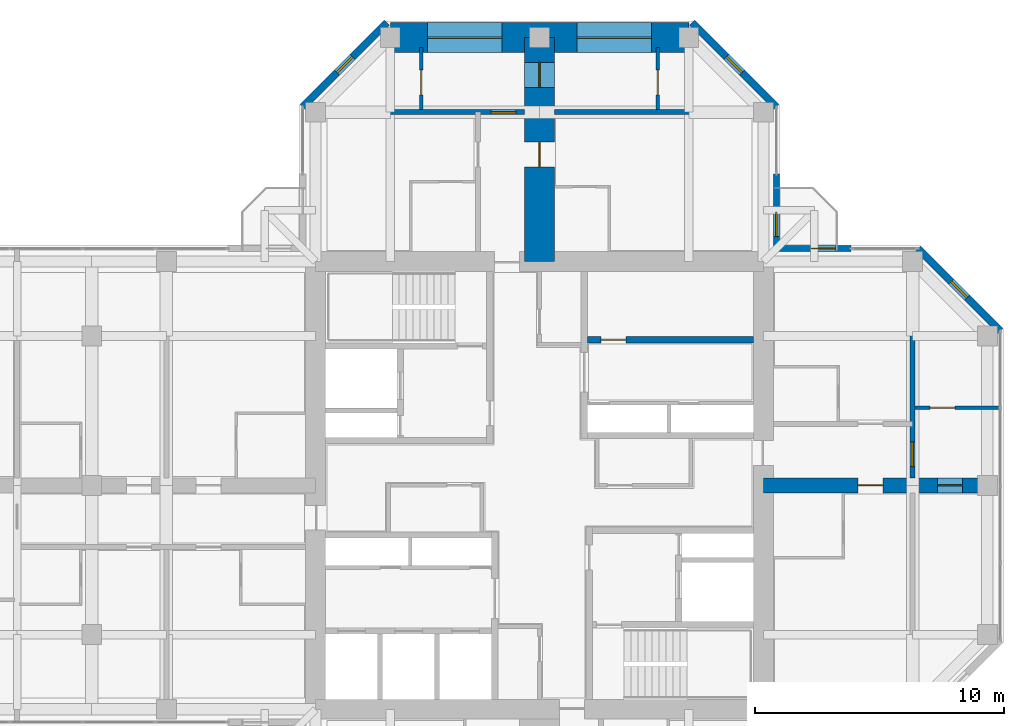
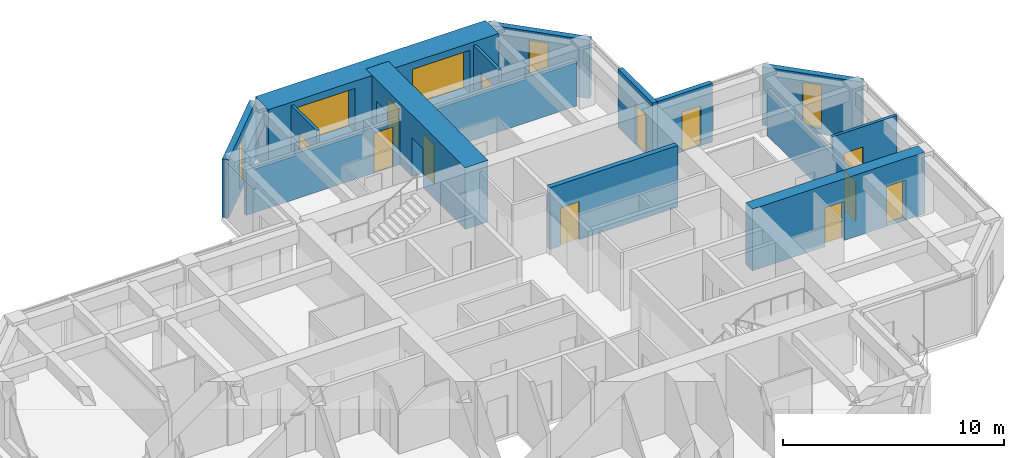
# One storey, part 12 of 14: 15 walls, 12 doors, 5 windows, 17 openings.
"""IFC4 building model written with IfcOpenShell, lengths in metres."""

from ifc_helpers import new_model, si_unit, direction, frame, frame_2d, origin, place, context, subcontext, project, spatial, rectangle, hollow_rectangle, extrude, material, layer, layer_set, constituent, constituent_set, type_object, element, fill, save


model = new_model("IFC4")

# Units and contexts
model_context = context("Model", 3, precision=1e-05, world=origin(), true_north=direction((0.0, 1.0)))
body_context = subcontext(model_context, "Body", "Model", "MODEL_VIEW")
ifc_project = project(units=[si_unit("LENGTHUNIT", "METRE"), si_unit("AREAUNIT", "SQUARE_METRE"), si_unit("VOLUMEUNIT", "CUBIC_METRE"), si_unit("PLANEANGLEUNIT", "RADIAN"), si_unit("MASSUNIT", "GRAM", prefix="KILO")], contexts=[model_context])

# Site, building, storey
site_placement = place(None, origin())
site = spatial("IfcSite", under=ifc_project, at=site_placement, CompositionType="ELEMENT")
building_placement = place(site_placement, origin())
building = spatial("IfcBuilding", under=site, at=building_placement, Name="Torre Cruceta", CompositionType="ELEMENT")
storey_placement = place(building_placement, frame((0.0, 0.0, 225.5)))
storey = spatial("IfcBuildingStorey", under=building, at=storey_placement, Name="L57", CompositionType="ELEMENT", Elevation=225.5)

# Wall, opening, door
ifc_material_1 = material(Name="Concrete G60 (fck 60 MPa)", Category="concrete")
ifc_layer_1 = layer(ifc_material_1, 0.25)
ifc_layer_set_1 = layer_set([ifc_layer_1], Name="Concrete G60 (fck 60 MPa)")
wall_type_1 = type_object("IfcWallType", Name="CORE INNER WALL 250 G60", PredefinedType="SHEAR", material=ifc_layer_set_1)
wall_1_placement = place(storey_placement, frame((1.925048828125, 5.85009765625, 0.0), z_axis=(0.0, 0.0, 1.0), x_axis=(1.0, 0.0, 0.0)))
wall_1 = element("IfcWall", 1, at=wall_1_placement, inside=storey, type_object=wall_type_1, Name="CW4 L57 NE-LV", PredefinedType="SHEAR", context=body_context, shape_type="SweptSolid", body=[
    extrude(rectangle(XDim=6.675048828125, YDim=0.25, at=frame_2d((3.33740234375, 0.0))), origin(), (0.0, 0.0, 1.0), 3.39990234375),
])
opening_1_placement = place(wall_1_placement, frame((0.5458984375, 0.0, 0.0)))
opening_1 = element("IfcOpeningElement", 2, at=opening_1_placement, cuts=wall_1, Name="Opening D3", PredefinedType="OPENING", context=body_context, shape_type="SweptSolid", body=[
    extrude(rectangle(XDim=1.0, YDim=2.10009765625, at=frame_2d((0.5, 1.050048828125))), frame((0.0, 0.135009765625, 0.0), z_axis=(0.0, -1.0, 0.0), x_axis=(1.0, 0.0, 0.0)), (0.0, 0.0, 1.0), 0.27001953125),
])
ifc_material_2 = material(Name="Steel DX51D", Category="steel")
ifc_constituent_1 = constituent(ifc_material_2, Name="Leaf and frame")
ifc_material_3 = material(Name="Polyester powder coating", Category="paint")
ifc_constituent_2 = constituent(ifc_material_3, Name="Finish")
ifc_constituent_set_1 = constituent_set(constituents=[ifc_constituent_1, ifc_constituent_2], Name="Steel fire door")
door_type_1 = type_object("IfcDoorType", Name="FIRE DOOR 1000X2100", OperationType="SINGLE_SWING_LEFT", PredefinedType="DOOR", material=ifc_constituent_set_1)
door_1_placement = place(opening_1_placement, origin())
door_1 = element("IfcDoor", 3, at=door_1_placement, inside=storey, type_object=door_type_1, Name="D3 L57 NE-HR1", OperationType="SINGLE_SWING_LEFT", OverallHeight=2.10009765625, OverallWidth=1.0, PredefinedType="DOOR", context=body_context, shape_type="SweptSolid", body=[
    extrude(rectangle(XDim=1.0, YDim=2.10009765625, at=frame_2d((0.5, 1.050048828125))), frame((0.0, 0.02490234375, 0.0), z_axis=(0.0, -1.0, 0.0), x_axis=(1.0, 0.0, 0.0)), (0.0, 0.0, 1.0), 0.050048828125),
])
fill(opening_1, door_1)

# Wall, opening, window
ifc_material_4 = material(Name="Concrete G30 (fck 30 MPa)", Category="concrete")
ifc_layer_2 = layer(ifc_material_4, 0.300048828125)
ifc_layer_set_2 = layer_set([ifc_layer_2], Name="Concrete G30 (fck 30 MPa)")
wall_type_2 = type_object("IfcWallType", Name="EXPOSED CONCRETE FACADE WALL 300", PredefinedType="SOLIDWALL", material=ifc_layer_set_2)
wall_2_placement = place(storey_placement, frame((18.52001953125, 6.21533203125, 0.0), z_axis=(0.0, 0.0, 1.0), x_axis=(-0.707106781187, 0.707106781187, 0.0)))
wall_2 = element("IfcWall", 4, at=wall_2_placement, inside=storey, type_object=wall_type_2, Name="EW1 facade wall L57 E chamfer 03", PredefinedType="SOLIDWALL", context=body_context, shape_type="SweptSolid", body=[
    extrude(rectangle(XDim=4.673583984375, YDim=0.300048828125, at=frame_2d((2.3369140625, 0.0))), origin(), (0.0, 0.0, 1.0), 3.219970703125),
])
opening_2_placement = place(wall_2_placement, frame((1.88671875, 0.0, 0.300048828125)))
opening_2 = element("IfcOpeningElement", 5, at=opening_2_placement, cuts=wall_2, Name="Opening WN5", PredefinedType="OPENING", context=body_context, shape_type="SweptSolid", body=[
    extrude(rectangle(XDim=0.89990234375, YDim=2.39990234375, at=frame_2d((0.449951171875, 1.199951171875))), frame((0.0, 0.159912109375, 0.0), z_axis=(0.0, -1.0, 0.0), x_axis=(1.0, 0.0, 0.0)), (0.0, 0.0, 1.0), 0.320068359375),
])
ifc_material_5 = material(Name="Aluminium window frame", Category="aluminium")
ifc_constituent_3 = constituent(ifc_material_5, Name="Frame")
ifc_material_6 = material(Name="Laminated insulating glass unit, low-iron clear", Category="glass")
ifc_constituent_4 = constituent(ifc_material_6, Name="Glazing")
ifc_constituent_set_2 = constituent_set(constituents=[ifc_constituent_3, ifc_constituent_4], Name="Aluminium window")
window_type_1 = type_object("IfcWindowType", Name="CHAMFER SLOT WINDOW 900X2400", PartitioningType="SINGLE_PANEL", PredefinedType="WINDOW", material=ifc_constituent_set_2)
window_1_placement = place(opening_2_placement, origin())
window_1 = element("IfcWindow", 6, at=window_1_placement, inside=storey, type_object=window_type_1, Name="WN5 L57 E 1", OverallHeight=2.39990234375, OverallWidth=0.89990234375, PartitioningType="SINGLE_PANEL", PredefinedType="WINDOW", context=body_context, shape_type="SweptSolid", body=[
    extrude(hollow_rectangle(XDim=0.89990234375, YDim=2.39990234375, WallThickness=0.06005859375, at=frame_2d((0.449951171875, 1.199951171875))), frame((0.0, 0.030029296875, 0.0), z_axis=(0.0, -1.0, 0.0), x_axis=(1.0, 0.0, 0.0)), (0.0, 0.0, 1.0), 0.06005859375),
    extrude(rectangle(XDim=0.77880859375, YDim=2.27880859375, at=frame_2d((0.449951171875, 1.199951171875))), frame((0.0, 0.030029296875, 0.0), z_axis=(0.0, -1.0, 0.0), x_axis=(1.0, 0.0, 0.0)), (0.0, 0.0, 1.0), 0.06005859375),
])
fill(opening_2, window_1)

wall_3_placement = place(storey_placement, frame((9.52001953125, 15.21533203125, 0.0), z_axis=(0.0, 0.0, 1.0), x_axis=(-0.707081278264, 0.707132283189, 0.0)))
wall_3 = element("IfcWall", 7, at=wall_3_placement, inside=storey, type_object=wall_type_2, Name="EW1 facade wall L57 N chamfer 06", PredefinedType="SOLIDWALL", context=body_context, shape_type="SweptSolid", body=[
    extrude(rectangle(XDim=4.78662109375, YDim=0.300048828125, at=frame_2d((2.393310546875, 0.0))), origin(), (0.0, 0.0, 1.0), 3.219970703125),
])
opening_3_placement = place(wall_3_placement, frame((1.943359375, 0.0, 0.300048828125)))
opening_3 = element("IfcOpeningElement", 8, at=opening_3_placement, cuts=wall_3, Name="Opening WN5", PredefinedType="OPENING", context=body_context, shape_type="SweptSolid", body=[
    extrude(rectangle(XDim=0.89990234375, YDim=2.39990234375, at=frame_2d((0.449951171875, 1.199951171875))), frame((0.0, 0.159912109375, 0.0), z_axis=(0.0, -1.0, 0.0), x_axis=(1.0, 0.0, 0.0)), (0.0, 0.0, 1.0), 0.320068359375),
])
window_2_placement = place(opening_3_placement, origin())
window_2 = element("IfcWindow", 9, at=window_2_placement, inside=storey, type_object=window_type_1, Name="WN5 L57 N 1", OverallHeight=2.39990234375, OverallWidth=0.89990234375, PartitioningType="SINGLE_PANEL", PredefinedType="WINDOW", context=body_context, shape_type="SweptSolid", body=[
    extrude(hollow_rectangle(XDim=0.89990234375, YDim=2.39990234375, WallThickness=0.06005859375, at=frame_2d((0.449951171875, 1.199951171875))), frame((0.0, 0.030029296875, 0.0), z_axis=(0.0, -1.0, 0.0), x_axis=(1.0, 0.0, 0.0)), (0.0, 0.0, 1.0), 0.06005859375),
    extrude(rectangle(XDim=0.77880859375, YDim=2.27880859375, at=frame_2d((0.449951171875, 1.199951171875))), frame((0.0, 0.030029296875, 0.0), z_axis=(0.0, -1.0, 0.0), x_axis=(1.0, 0.0, 0.0)), (0.0, 0.0, 1.0), 0.06005859375),
])
fill(opening_3, window_2)

wall_4_placement = place(storey_placement, frame((-6.135498046875, 18.60009765625, 0.0), z_axis=(0.0, 0.0, 1.0), x_axis=(-0.707081278264, -0.707132283189, 0.0)))
wall_4 = element("IfcWall", 10, at=wall_4_placement, inside=storey, type_object=wall_type_2, Name="EW1 facade wall L57 N chamfer 08", PredefinedType="SOLIDWALL", context=body_context, shape_type="SweptSolid", body=[
    extrude(rectangle(XDim=4.78662109375, YDim=0.300048828125, at=frame_2d((2.393310546875, 0.0))), origin(), (0.0, 0.0, 1.0), 3.219970703125),
])
opening_4_placement = place(wall_4_placement, frame((1.943359375, 0.0, 0.300048828125)))
opening_4 = element("IfcOpeningElement", 11, at=opening_4_placement, cuts=wall_4, Name="Opening WN5", PredefinedType="OPENING", context=body_context, shape_type="SweptSolid", body=[
    extrude(rectangle(XDim=0.89990234375, YDim=2.39990234375, at=frame_2d((0.449951171875, 1.199951171875))), frame((0.0, 0.159912109375, 0.0), z_axis=(0.0, -1.0, 0.0), x_axis=(1.0, 0.0, 0.0)), (0.0, 0.0, 1.0), 0.320068359375),
])
window_3_placement = place(opening_4_placement, origin())
window_3 = element("IfcWindow", 12, at=window_3_placement, inside=storey, type_object=window_type_1, Name="WN5 L57 N 1", OverallHeight=2.39990234375, OverallWidth=0.89990234375, PartitioningType="SINGLE_PANEL", PredefinedType="WINDOW", context=body_context, shape_type="SweptSolid", body=[
    extrude(hollow_rectangle(XDim=0.89990234375, YDim=2.39990234375, WallThickness=0.06005859375, at=frame_2d((0.449951171875, 1.199951171875))), frame((0.0, 0.030029296875, 0.0), z_axis=(0.0, -1.0, 0.0), x_axis=(1.0, 0.0, 0.0)), (0.0, 0.0, 1.0), 0.06005859375),
    extrude(rectangle(XDim=0.77880859375, YDim=2.27880859375, at=frame_2d((0.449951171875, 1.199951171875))), frame((0.0, 0.030029296875, 0.0), z_axis=(0.0, -1.0, 0.0), x_axis=(1.0, 0.0, 0.0)), (0.0, 0.0, 1.0), 0.06005859375),
])
fill(opening_4, window_3)

# Wall, openings, windows
ifc_material_7 = material(Name="Concrete G60 (fck 60 MPa)", Category="concrete")
ifc_layer_3 = layer(ifc_material_7, 1.199951171875)
ifc_layer_set_3 = layer_set([ifc_layer_3], Name="Concrete G60 (fck 60 MPa)")
wall_type_3 = type_object("IfcWallType", Name="NOSE WALL 1200 G60", PredefinedType="SHEAR", material=ifc_layer_set_3)
wall_5_placement = place(storey_placement, frame((6.0, 18.0, 0.0), z_axis=(0.0, 0.0, 1.0), x_axis=(-1.0, 0.0, 0.0)))
wall_5 = element("IfcWall", 13, at=wall_5_placement, inside=storey, type_object=wall_type_3, Name="NW1 nose wall L57 N", PredefinedType="SHEAR", context=body_context, shape_type="SweptSolid", body=[
    extrude(rectangle(XDim=12.0, YDim=1.199951171875, at=frame_2d((6.0, 0.0))), origin(), (0.0, 0.0, 1.0), 3.39990234375),
])
opening_5_placement = place(wall_5_placement, frame((1.5, 0.0, 0.60009765625)))
opening_5 = element("IfcOpeningElement", 14, at=opening_5_placement, cuts=wall_5, Name="Opening WN6", PredefinedType="OPENING", context=body_context, shape_type="SweptSolid", body=[
    extrude(rectangle(XDim=3.0, YDim=2.39990234375, at=frame_2d((1.5, 1.199951171875))), frame((0.0, 0.60986328125, 0.0), z_axis=(0.0, -1.0, 0.0), x_axis=(1.0, 0.0, 0.0)), (0.0, 0.0, 1.0), 1.219970703125),
])
opening_6_placement = place(wall_5_placement, frame((7.5, 0.0, 0.60009765625)))
opening_6 = element("IfcOpeningElement", 15, at=opening_6_placement, cuts=wall_5, Name="Opening WN6", PredefinedType="OPENING", context=body_context, shape_type="SweptSolid", body=[
    extrude(rectangle(XDim=3.0, YDim=2.39990234375, at=frame_2d((1.5, 1.199951171875))), frame((0.0, 0.60986328125, 0.0), z_axis=(0.0, -1.0, 0.0), x_axis=(1.0, 0.0, 0.0)), (0.0, 0.0, 1.0), 1.219970703125),
])
ifc_material_8 = material(Name="Aluminium window frame", Category="aluminium")
ifc_constituent_5 = constituent(ifc_material_8, Name="Frame")
ifc_material_9 = material(Name="Laminated insulating glass unit, low-iron clear", Category="glass")
ifc_constituent_6 = constituent(ifc_material_9, Name="Glazing")
ifc_constituent_set_3 = constituent_set(constituents=[ifc_constituent_5, ifc_constituent_6], Name="Aluminium window")
window_type_2 = type_object("IfcWindowType", Name="NOSE WALL WINDOW 3000X2400", PartitioningType="SINGLE_PANEL", PredefinedType="WINDOW", material=ifc_constituent_set_3)
window_4_placement = place(opening_5_placement, origin())
window_4 = element("IfcWindow", 16, at=window_4_placement, inside=storey, type_object=window_type_2, Name="WN6 L57 N 1", OverallHeight=2.39990234375, OverallWidth=3.0, PartitioningType="SINGLE_PANEL", PredefinedType="WINDOW", context=body_context, shape_type="SweptSolid", body=[
    extrude(hollow_rectangle(XDim=3.0, YDim=2.39990234375, WallThickness=0.06005859375, at=frame_2d((1.5, 1.199951171875))), frame((0.0, 0.030029296875, 0.0), z_axis=(0.0, -1.0, 0.0), x_axis=(1.0, 0.0, 0.0)), (0.0, 0.0, 1.0), 0.06005859375),
    extrude(rectangle(XDim=2.87890625, YDim=2.27880859375, at=frame_2d((1.5, 1.199951171875))), frame((0.0, 0.030029296875, 0.0), z_axis=(0.0, -1.0, 0.0), x_axis=(1.0, 0.0, 0.0)), (0.0, 0.0, 1.0), 0.06005859375),
])
fill(opening_5, window_4)
window_5_placement = place(opening_6_placement, origin())
window_5 = element("IfcWindow", 17, at=window_5_placement, inside=storey, type_object=window_type_2, Name="WN6 L57 N 2", OverallHeight=2.39990234375, OverallWidth=3.0, PartitioningType="SINGLE_PANEL", PredefinedType="WINDOW", context=body_context, shape_type="SweptSolid", body=[
    extrude(hollow_rectangle(XDim=3.0, YDim=2.39990234375, WallThickness=0.06005859375, at=frame_2d((1.5, 1.199951171875))), frame((0.0, 0.030029296875, 0.0), z_axis=(0.0, -1.0, 0.0), x_axis=(1.0, 0.0, 0.0)), (0.0, 0.0, 1.0), 0.06005859375),
    extrude(rectangle(XDim=2.87890625, YDim=2.27880859375, at=frame_2d((1.5, 1.199951171875))), frame((0.0, 0.030029296875, 0.0), z_axis=(0.0, -1.0, 0.0), x_axis=(1.0, 0.0, 0.0)), (0.0, 0.0, 1.0), 0.06005859375),
])
fill(opening_6, window_5)

# Wall, opening, door
ifc_material_10 = material(Name="Plasterboard on steel studs", Category="steel")
ifc_layer_4 = layer(ifc_material_10, 0.14990234375)
ifc_layer_set_4 = layer_set([ifc_layer_4], Name="Plasterboard on steel studs")
wall_type_4 = type_object("IfcWallType", Name="PARTITION 150", PredefinedType="PARTITIONING", material=ifc_layer_set_4)
wall_6_placement = place(storey_placement, frame((-4.75, 15.10009765625, 0.0), z_axis=(0.0, 0.0, 1.0), x_axis=(0.0, 1.0, 0.0)))
wall_6 = element("IfcWall", 18, at=wall_6_placement, inside=storey, type_object=wall_type_4, Name="PT1 L57-N-ENDX", PredefinedType="PARTITIONING", context=body_context, shape_type="SweptSolid", body=[
    extrude(rectangle(XDim=2.5, YDim=0.14990234375, at=frame_2d((1.25, 0.0))), origin(), (0.0, 0.0, 1.0), 3.219970703125),
])
opening_7_placement = place(wall_6_placement, frame((0.60009765625, 0.0, 0.0)))
opening_7 = element("IfcOpeningElement", 19, at=opening_7_placement, cuts=wall_6, Name="Opening D3", PredefinedType="OPENING", context=body_context, shape_type="SweptSolid", body=[
    extrude(rectangle(XDim=1.0, YDim=2.10009765625, at=frame_2d((0.5, 1.050048828125))), frame((0.0, 0.0849609375, 0.0), z_axis=(0.0, -1.0, 0.0), x_axis=(1.0, 0.0, 0.0)), (0.0, 0.0, 1.0), 0.169921875),
])
door_2_placement = place(opening_7_placement, origin())
door_2 = element("IfcDoor", 20, at=door_2_placement, inside=storey, type_object=door_type_1, Name="D3 L57-N-ENDX-D1", OperationType="SINGLE_SWING_LEFT", OverallHeight=2.10009765625, OverallWidth=1.0, PredefinedType="DOOR", context=body_context, shape_type="SweptSolid", body=[
    extrude(rectangle(XDim=1.0, YDim=2.10009765625, at=frame_2d((0.5, 1.050048828125))), frame((0.0, 0.02490234375, 0.0), z_axis=(0.0, -1.0, 0.0), x_axis=(1.0, 0.0, 0.0)), (0.0, 0.0, 1.0), 0.050048828125),
])
fill(opening_7, door_2)

wall_7_placement = place(storey_placement, frame((4.75, 15.10009765625, 0.0), z_axis=(0.0, 0.0, 1.0), x_axis=(0.0, 1.0, 0.0)))
wall_7 = element("IfcWall", 21, at=wall_7_placement, inside=storey, type_object=wall_type_4, Name="PT1 L57-N-END2X", PredefinedType="PARTITIONING", context=body_context, shape_type="SweptSolid", body=[
    extrude(rectangle(XDim=2.5, YDim=0.14990234375, at=frame_2d((1.25, 0.0))), origin(), (0.0, 0.0, 1.0), 3.219970703125),
])
opening_8_placement = place(wall_7_placement, frame((0.60009765625, 0.0, 0.0)))
opening_8 = element("IfcOpeningElement", 22, at=opening_8_placement, cuts=wall_7, Name="Opening D3", PredefinedType="OPENING", context=body_context, shape_type="SweptSolid", body=[
    extrude(rectangle(XDim=1.0, YDim=2.10009765625, at=frame_2d((0.5, 1.050048828125))), frame((0.0, 0.0849609375, 0.0), z_axis=(0.0, -1.0, 0.0), x_axis=(1.0, 0.0, 0.0)), (0.0, 0.0, 1.0), 0.169921875),
])
door_3_placement = place(opening_8_placement, frame((1.0, 0.0, 0.0), z_axis=(0.0, 0.0, 1.0), x_axis=(-1.0, 0.0, 0.0)))
door_3 = element("IfcDoor", 23, at=door_3_placement, inside=storey, type_object=door_type_1, Name="D3 L57-N-END2X-D1", OperationType="SINGLE_SWING_RIGHT", OverallHeight=2.10009765625, OverallWidth=1.0, PredefinedType="DOOR", context=body_context, shape_type="SweptSolid", body=[
    extrude(rectangle(XDim=1.0, YDim=2.10009765625, at=frame_2d((0.5, 1.050048828125))), frame((0.0, 0.025146484375, 0.0), z_axis=(0.0, -1.0, 0.0), x_axis=(1.0, 0.0, 0.0)), (0.0, 0.0, 1.0), 0.050048828125),
])
fill(opening_8, door_3)

wall_8_placement = place(storey_placement, frame((15.10009765625, 3.117919921875, 0.0), z_axis=(0.0, 0.0, 1.0), x_axis=(1.0, 0.0, 0.0)))
wall_8 = element("IfcWall", 24, at=wall_8_placement, inside=storey, type_object=wall_type_4, Name="PT1 L57-E-ENDX", PredefinedType="PARTITIONING", context=body_context, shape_type="SweptSolid", body=[
    extrude(rectangle(XDim=3.3798828125, YDim=0.14990234375, at=frame_2d((1.68994140625, 0.0))), origin(), (0.0, 0.0, 1.0), 3.219970703125),
])
opening_9_placement = place(wall_8_placement, frame((0.60009765625, 0.0, 0.0)))
opening_9 = element("IfcOpeningElement", 25, at=opening_9_placement, cuts=wall_8, Name="Opening D3", PredefinedType="OPENING", context=body_context, shape_type="SweptSolid", body=[
    extrude(rectangle(XDim=1.0, YDim=2.10009765625, at=frame_2d((0.5, 1.050048828125))), frame((0.0, 0.0849609375, 0.0), z_axis=(0.0, -1.0, 0.0), x_axis=(1.0, 0.0, 0.0)), (0.0, 0.0, 1.0), 0.169921875),
])
door_4_placement = place(opening_9_placement, frame((1.0, 0.0, 0.0), z_axis=(0.0, 0.0, 1.0), x_axis=(-1.0, 0.0, 0.0)))
door_4 = element("IfcDoor", 26, at=door_4_placement, inside=storey, type_object=door_type_1, Name="D3 L57-E-ENDX-D1", OperationType="SINGLE_SWING_RIGHT", OverallHeight=2.10009765625, OverallWidth=1.0, PredefinedType="DOOR", context=body_context, shape_type="SweptSolid", body=[
    extrude(rectangle(XDim=1.0, YDim=2.10009765625, at=frame_2d((0.5, 1.050048828125))), frame((0.0, 0.025146484375, 0.0), z_axis=(0.0, -1.0, 0.0), x_axis=(1.0, 0.0, 0.0)), (0.0, 0.0, 1.0), 0.050048828125),
])
fill(opening_9, door_4)

# Wall, openings, doors
ifc_material_11 = material(Name="Concrete G60 (fck 60 MPa)", Category="concrete")
ifc_layer_5 = layer(ifc_material_11, 1.199951171875)
ifc_layer_set_5 = layer_set([ifc_layer_5], Name="Concrete G60 (fck 60 MPa)")
wall_type_5 = type_object("IfcWallType", Name="SPINE WALL 1200 G60", PredefinedType="SHEAR", material=ifc_layer_set_5)
wall_9_placement = place(storey_placement, frame((0.0, 9.0, 0.0), z_axis=(0.0, 0.0, 1.0), x_axis=(0.0, 1.0, 0.0)))
wall_9 = element("IfcWall", 27, at=wall_9_placement, inside=storey, type_object=wall_type_5, Name="SW3 spine wall L57 N", PredefinedType="SHEAR", context=body_context, shape_type="SweptSolid", body=[
    extrude(rectangle(XDim=9.0, YDim=1.199951171875, at=frame_2d((4.5, 0.0))), origin(), (0.0, 0.0, 1.0), 3.39990234375),
])
opening_10_placement = place(wall_9_placement, frame((3.800048828125, 0.0, 0.0)))
opening_10 = element("IfcOpeningElement", 28, at=opening_10_placement, cuts=wall_9, Name="Opening D6", PredefinedType="OPENING", context=body_context, shape_type="SweptSolid", body=[
    extrude(rectangle(XDim=1.0, YDim=2.14990234375, at=frame_2d((0.5, 1.074951171875))), frame((0.0, 0.60986328125, 0.0), z_axis=(0.0, -1.0, 0.0), x_axis=(1.0, 0.0, 0.0)), (0.0, 0.0, 1.0), 1.219970703125),
])
opening_11_placement = place(wall_9_placement, frame((7.0, 0.0, 0.0)))
opening_11 = element("IfcOpeningElement", 29, at=opening_11_placement, cuts=wall_9, Name="Opening D14", PredefinedType="OPENING", context=body_context, shape_type="SweptSolid", body=[
    extrude(rectangle(XDim=1.0, YDim=2.199951171875, at=frame_2d((0.5, 1.10009765625))), frame((0.0, 0.60986328125, 0.0), z_axis=(0.0, -1.0, 0.0), x_axis=(1.0, 0.0, 0.0)), (0.0, 0.0, 1.0), 1.219970703125),
])
ifc_material_12 = material(Name="Steel DX51D", Category="steel")
ifc_constituent_7 = constituent(ifc_material_12, Name="Leaf and frame")
ifc_material_13 = material(Name="Polyester powder coating", Category="paint")
ifc_constituent_8 = constituent(ifc_material_13, Name="Finish")
ifc_material_14 = material(Name="Fire-resisting glass", Category="glass")
ifc_constituent_9 = constituent(ifc_material_14, Name="Vision panel")
ifc_constituent_set_4 = constituent_set(constituents=[ifc_constituent_7, ifc_constituent_8, ifc_constituent_9], Name="Steel fire door with vision panel")
door_type_2 = type_object("IfcDoorType", Name="FIRE DOOR VISION PANEL 1000X2200", OperationType="SINGLE_SWING_RIGHT", PredefinedType="DOOR", material=ifc_constituent_set_4)
door_5_placement = place(opening_11_placement, origin())
door_5 = element("IfcDoor", 30, at=door_5_placement, inside=storey, type_object=door_type_2, Name="D14 L57-N-SP2", OperationType="SINGLE_SWING_RIGHT", OverallHeight=2.199951171875, OverallWidth=1.0, PredefinedType="DOOR", context=body_context, shape_type="SweptSolid", body=[
    extrude(rectangle(XDim=1.0, YDim=2.199951171875, at=frame_2d((0.5, 1.10009765625))), frame((0.0, 0.02490234375, 0.0), z_axis=(0.0, -1.0, 0.0), x_axis=(1.0, 0.0, 0.0)), (0.0, 0.0, 1.0), 0.050048828125),
])
fill(opening_11, door_5)
ifc_material_15 = material(Name="Timber fire door", Category="wood")
door_type_3 = type_object("IfcDoorType", Name="UNIT ENTRANCE DOOR 1000X2150", OperationType="SINGLE_SWING_LEFT", PredefinedType="DOOR", material=ifc_material_15)
door_6_placement = place(opening_10_placement, frame((1.0, 0.0, 0.0), z_axis=(0.0, 0.0, 1.0), x_axis=(-1.0, 0.0, 0.0)))
door_6 = element("IfcDoor", 31, at=door_6_placement, inside=storey, type_object=door_type_3, Name="D6 L57-N-SP1", OperationType="SINGLE_SWING_RIGHT", OverallHeight=2.14990234375, OverallWidth=1.0, PredefinedType="DOOR", context=body_context, shape_type="SweptSolid", body=[
    extrude(rectangle(XDim=1.0, YDim=2.14990234375, at=frame_2d((0.5, 1.074951171875))), frame((0.0, 0.025146484375, 0.0), z_axis=(0.0, -1.0, 0.0), x_axis=(1.0, 0.0, 0.0)), (0.0, 0.0, 1.0), 0.050048828125),
])
fill(opening_10, door_6)

ifc_material_16 = material(Name="Concrete G60 (fck 60 MPa)", Category="concrete")
ifc_layer_6 = layer(ifc_material_16, 0.60009765625)
ifc_layer_set_6 = layer_set([ifc_layer_6], Name="Concrete G60 (fck 60 MPa)")
wall_type_6 = type_object("IfcWallType", Name="SPINE WALL 600 G60", PredefinedType="SHEAR", material=ifc_layer_set_6)
wall_10_placement = place(storey_placement, frame((9.0, 0.0, 0.0), z_axis=(0.0, 0.0, 1.0), x_axis=(1.0, 0.0, 0.0)))
wall_10 = element("IfcWall", 32, at=wall_10_placement, inside=storey, type_object=wall_type_6, Name="SW5 spine wall L57 E", PredefinedType="SHEAR", context=body_context, shape_type="SweptSolid", body=[
    extrude(rectangle(XDim=9.0, YDim=0.60009765625, at=frame_2d((4.5, 0.0))), origin(), (0.0, 0.0, 1.0), 3.39990234375),
])
opening_12_placement = place(wall_10_placement, frame((3.800048828125, 0.0, 0.0)))
opening_12 = element("IfcOpeningElement", 33, at=opening_12_placement, cuts=wall_10, Name="Opening D6", PredefinedType="OPENING", context=body_context, shape_type="SweptSolid", body=[
    extrude(rectangle(XDim=1.0, YDim=2.14990234375, at=frame_2d((0.5, 1.074951171875))), frame((0.0, 0.31005859375, 0.0), z_axis=(0.0, -1.0, 0.0), x_axis=(1.0, 0.0, 0.0)), (0.0, 0.0, 1.0), 0.6201171875),
])
opening_13_placement = place(wall_10_placement, frame((7.0, 0.0, 0.0)))
opening_13 = element("IfcOpeningElement", 34, at=opening_13_placement, cuts=wall_10, Name="Opening D14", PredefinedType="OPENING", context=body_context, shape_type="SweptSolid", body=[
    extrude(rectangle(XDim=1.0, YDim=2.199951171875, at=frame_2d((0.5, 1.10009765625))), frame((0.0, 0.31005859375, 0.0), z_axis=(0.0, -1.0, 0.0), x_axis=(1.0, 0.0, 0.0)), (0.0, 0.0, 1.0), 0.6201171875),
])
door_7_placement = place(opening_13_placement, origin())
door_7 = element("IfcDoor", 35, at=door_7_placement, inside=storey, type_object=door_type_2, Name="D14 L57-E-SP2", OperationType="SINGLE_SWING_LEFT", OverallHeight=2.199951171875, OverallWidth=1.0, PredefinedType="DOOR", context=body_context, shape_type="SweptSolid", body=[
    extrude(rectangle(XDim=1.0, YDim=2.199951171875, at=frame_2d((0.5, 1.10009765625))), frame((0.0, 0.02490234375, 0.0), z_axis=(0.0, -1.0, 0.0), x_axis=(1.0, 0.0, 0.0)), (0.0, 0.0, 1.0), 0.050048828125),
])
fill(opening_13, door_7)
door_8_placement = place(opening_12_placement, frame((1.0, 0.0, 0.0), z_axis=(0.0, 0.0, 1.0), x_axis=(-1.0, 0.0, 0.0)))
door_8 = element("IfcDoor", 36, at=door_8_placement, inside=storey, type_object=door_type_3, Name="D6 L57-E-SP1", OperationType="SINGLE_SWING_RIGHT", OverallHeight=2.14990234375, OverallWidth=1.0, PredefinedType="DOOR", context=body_context, shape_type="SweptSolid", body=[
    extrude(rectangle(XDim=1.0, YDim=2.14990234375, at=frame_2d((0.5, 1.074951171875))), frame((0.0, 0.025146484375, 0.0), z_axis=(0.0, -1.0, 0.0), x_axis=(1.0, 0.0, 0.0)), (0.0, 0.0, 1.0), 0.050048828125),
])
fill(opening_12, door_8)

# Wall
ifc_material_17 = material(Name="Concrete G25 (fck 25 MPa)", Category="concrete")
ifc_layer_7 = layer(ifc_material_17, 0.199951171875)
ifc_layer_set_7 = layer_set([ifc_layer_7], Name="Concrete G25 (fck 25 MPa)")
wall_type_7 = type_object("IfcWallType", Name="UNIT SEPARATING WALL 200", PredefinedType="SOLIDWALL", material=ifc_layer_set_7)
wall_11_placement = place(storey_placement, frame((8.60009765625, 15.0, 0.0), z_axis=(0.0, 0.0, 1.0), x_axis=(-1.0, 0.0, 0.0)))
element("IfcWall", 37, at=wall_11_placement, inside=storey, type_object=wall_type_7, Name="PT2 L57-N-ENDa", PredefinedType="SOLIDWALL", context=body_context, shape_type="SweptSolid", body=[
    extrude(rectangle(XDim=8.0, YDim=0.199951171875, at=frame_2d((4.0, 0.0))), origin(), (0.0, 0.0, 1.0), 2.52001953125),
])

# Wall, opening, door
wall_12_placement = place(storey_placement, frame((-0.60009765625, 15.0, 0.0), z_axis=(0.0, 0.0, 1.0), x_axis=(-1.0, 0.0, 0.0)))
wall_12 = element("IfcWall", 38, at=wall_12_placement, inside=storey, type_object=wall_type_7, Name="PT2 L57-N-ENDb", PredefinedType="SOLIDWALL", context=body_context, shape_type="SweptSolid", body=[
    extrude(rectangle(XDim=8.0, YDim=0.199951171875, at=frame_2d((4.0, 0.0))), origin(), (0.0, 0.0, 1.0), 2.52001953125),
])
opening_14_placement = place(wall_12_placement, frame((0.35009765625, 0.0, 0.0)))
opening_14 = element("IfcOpeningElement", 39, at=opening_14_placement, cuts=wall_12, Name="Opening D14", PredefinedType="OPENING", context=body_context, shape_type="SweptSolid", body=[
    extrude(rectangle(XDim=1.0, YDim=2.199951171875, at=frame_2d((0.5, 1.10009765625))), frame((0.0, 0.10986328125, 0.0), z_axis=(0.0, -1.0, 0.0), x_axis=(1.0, 0.0, 0.0)), (0.0, 0.0, 1.0), 0.219970703125),
])
door_9_placement = place(opening_14_placement, frame((1.0, 0.0, 0.0), z_axis=(0.0, 0.0, 1.0), x_axis=(-1.0, 0.0, 0.0)))
door_9 = element("IfcDoor", 40, at=door_9_placement, inside=storey, type_object=door_type_2, Name="D14 L57-N-ENDb-D1", OperationType="SINGLE_SWING_RIGHT", OverallHeight=2.199951171875, OverallWidth=1.0, PredefinedType="DOOR", context=body_context, shape_type="SweptSolid", body=[
    extrude(rectangle(XDim=1.0, YDim=2.199951171875, at=frame_2d((0.5, 1.10009765625))), frame((0.0, 0.025146484375, 0.0), z_axis=(0.0, -1.0, 0.0), x_axis=(1.0, 0.0, 0.0)), (0.0, 0.0, 1.0), 0.050048828125),
])
fill(opening_14, door_9)

wall_13_placement = place(storey_placement, frame((15.0, 0.300048828125, 0.0), z_axis=(0.0, 0.0, 1.0), x_axis=(0.0, 1.0, 0.0)))
wall_13 = element("IfcWall", 41, at=wall_13_placement, inside=storey, type_object=wall_type_7, Name="PT2 L57-E-ENDb", PredefinedType="SOLIDWALL", context=body_context, shape_type="SweptSolid", body=[
    extrude(rectangle(XDim=8.300048828125, YDim=0.199951171875, at=frame_2d((4.14990234375, 0.0))), origin(), (0.0, 0.0, 1.0), 2.52001953125),
])
opening_15_placement = place(wall_13_placement, frame((0.449951171875, 0.0, 0.0)))
opening_15 = element("IfcOpeningElement", 42, at=opening_15_placement, cuts=wall_13, Name="Opening D14", PredefinedType="OPENING", context=body_context, shape_type="SweptSolid", body=[
    extrude(rectangle(XDim=1.0, YDim=2.199951171875, at=frame_2d((0.5, 1.10009765625))), frame((0.0, 0.10986328125, 0.0), z_axis=(0.0, -1.0, 0.0), x_axis=(1.0, 0.0, 0.0)), (0.0, 0.0, 1.0), 0.219970703125),
])
door_10_placement = place(opening_15_placement, frame((1.0, 0.0, 0.0), z_axis=(0.0, 0.0, 1.0), x_axis=(-1.0, 0.0, 0.0)))
door_10 = element("IfcDoor", 43, at=door_10_placement, inside=storey, type_object=door_type_2, Name="D14 L57-E-ENDb-D1", OperationType="SINGLE_SWING_LEFT", OverallHeight=2.199951171875, OverallWidth=1.0, PredefinedType="DOOR", context=body_context, shape_type="SweptSolid", body=[
    extrude(rectangle(XDim=1.0, YDim=2.199951171875, at=frame_2d((0.5, 1.10009765625))), frame((0.0, 0.025146484375, 0.0), z_axis=(0.0, -1.0, 0.0), x_axis=(1.0, 0.0, 0.0)), (0.0, 0.0, 1.0), 0.050048828125),
])
fill(opening_15, door_10)

ifc_material_18 = material(Name="Concrete G30 (fck 30 MPa)", Category="concrete")
ifc_layer_8 = layer(ifc_material_18, 0.25)
ifc_layer_set_8 = layer_set([ifc_layer_8], Name="Concrete G30 (fck 30 MPa)")
wall_type_8 = type_object("IfcWallType", Name="WINTER GARDEN WALL 250", PredefinedType="SOLIDWALL", material=ifc_layer_set_8)
wall_14_placement = place(storey_placement, frame((12.52001953125, 9.52001953125, 0.0), z_axis=(0.0, 0.0, 1.0), x_axis=(-1.0, 0.0, 0.0)))
wall_14 = element("IfcWall", 44, at=wall_14_placement, inside=storey, type_object=wall_type_8, Name="EW2 winter garden wall L57 04", PredefinedType="SOLIDWALL", context=body_context, shape_type="SweptSolid", body=[
    extrude(rectangle(XDim=2.875, YDim=0.25, at=frame_2d((1.4375, 0.0))), origin(), (0.0, 0.0, 1.0), 3.219970703125),
])
opening_16_placement = place(wall_14_placement, frame((0.60009765625, 0.0, 0.0)))
opening_16 = element("IfcOpeningElement", 45, at=opening_16_placement, cuts=wall_14, Name="Opening D10", PredefinedType="OPENING", context=body_context, shape_type="SweptSolid", body=[
    extrude(rectangle(XDim=1.0, YDim=2.199951171875, at=frame_2d((0.5, 1.10009765625))), frame((0.0, 0.135009765625, 0.0), z_axis=(0.0, -1.0, 0.0), x_axis=(1.0, 0.0, 0.0)), (0.0, 0.0, 1.0), 0.27001953125),
])
ifc_material_19 = material(Name="Aluminium door frame", Category="aluminium")
ifc_constituent_10 = constituent(ifc_material_19, Name="Frame")
ifc_material_20 = material(Name="Laminated safety glass", Category="glass")
ifc_constituent_11 = constituent(ifc_material_20, Name="Glazing")
ifc_constituent_set_5 = constituent_set(constituents=[ifc_constituent_10, ifc_constituent_11], Name="Aluminium glazed door")
door_type_4 = type_object("IfcDoorType", Name="BALCONY DOOR 1000X2200", OperationType="SINGLE_SWING_RIGHT", PredefinedType="DOOR", material=ifc_constituent_set_5)
door_11_placement = place(opening_16_placement, origin())
door_11 = element("IfcDoor", 46, at=door_11_placement, inside=storey, type_object=door_type_4, Name="D10 balcony door L57 04", OperationType="SINGLE_SWING_RIGHT", OverallHeight=2.199951171875, OverallWidth=1.0, PredefinedType="DOOR", context=body_context, shape_type="SweptSolid", body=[
    extrude(hollow_rectangle(XDim=1.0, YDim=2.199951171875, WallThickness=0.06005859375, at=frame_2d((0.5, 1.10009765625))), frame((0.0, 0.02490234375, 0.0), z_axis=(0.0, -1.0, 0.0), x_axis=(1.0, 0.0, 0.0)), (0.0, 0.0, 1.0), 0.050048828125),
    extrude(rectangle(XDim=0.87890625, YDim=2.078857421875, at=frame_2d((0.5, 1.10009765625))), frame((0.0, 0.02490234375, 0.0), z_axis=(0.0, -1.0, 0.0), x_axis=(1.0, 0.0, 0.0)), (0.0, 0.0, 1.0), 0.050048828125),
])
fill(opening_16, door_11)

wall_15_placement = place(storey_placement, frame((9.52001953125, 9.39501953125, 0.0), z_axis=(0.0, 0.0, 1.0), x_axis=(0.0, 1.0, 0.0)))
wall_15 = element("IfcWall", 47, at=wall_15_placement, inside=storey, type_object=wall_type_8, Name="EW2 winter garden wall L57 05", PredefinedType="SOLIDWALL", context=body_context, shape_type="SweptSolid", body=[
    extrude(rectangle(XDim=3.125, YDim=0.25, at=frame_2d((1.5625, 0.0))), origin(), (0.0, 0.0, 1.0), 3.219970703125),
])
opening_17_placement = place(wall_15_placement, frame((0.60009765625, 0.0, 0.0)))
opening_17 = element("IfcOpeningElement", 48, at=opening_17_placement, cuts=wall_15, Name="Opening D10", PredefinedType="OPENING", context=body_context, shape_type="SweptSolid", body=[
    extrude(rectangle(XDim=1.0, YDim=2.199951171875, at=frame_2d((0.5, 1.10009765625))), frame((0.0, 0.135009765625, 0.0), z_axis=(0.0, -1.0, 0.0), x_axis=(1.0, 0.0, 0.0)), (0.0, 0.0, 1.0), 0.27001953125),
])
door_12_placement = place(opening_17_placement, origin())
door_12 = element("IfcDoor", 49, at=door_12_placement, inside=storey, type_object=door_type_4, Name="D10 balcony door L57 05", OperationType="SINGLE_SWING_LEFT", OverallHeight=2.199951171875, OverallWidth=1.0, PredefinedType="DOOR", context=body_context, shape_type="SweptSolid", body=[
    extrude(hollow_rectangle(XDim=1.0, YDim=2.199951171875, WallThickness=0.06005859375, at=frame_2d((0.5, 1.10009765625))), frame((0.0, 0.02490234375, 0.0), z_axis=(0.0, -1.0, 0.0), x_axis=(1.0, 0.0, 0.0)), (0.0, 0.0, 1.0), 0.050048828125),
    extrude(rectangle(XDim=0.87890625, YDim=2.078857421875, at=frame_2d((0.5, 1.10009765625))), frame((0.0, 0.02490234375, 0.0), z_axis=(0.0, -1.0, 0.0), x_axis=(1.0, 0.0, 0.0)), (0.0, 0.0, 1.0), 0.050048828125),
])
fill(opening_17, door_12)

save(model, "model.ifc")
